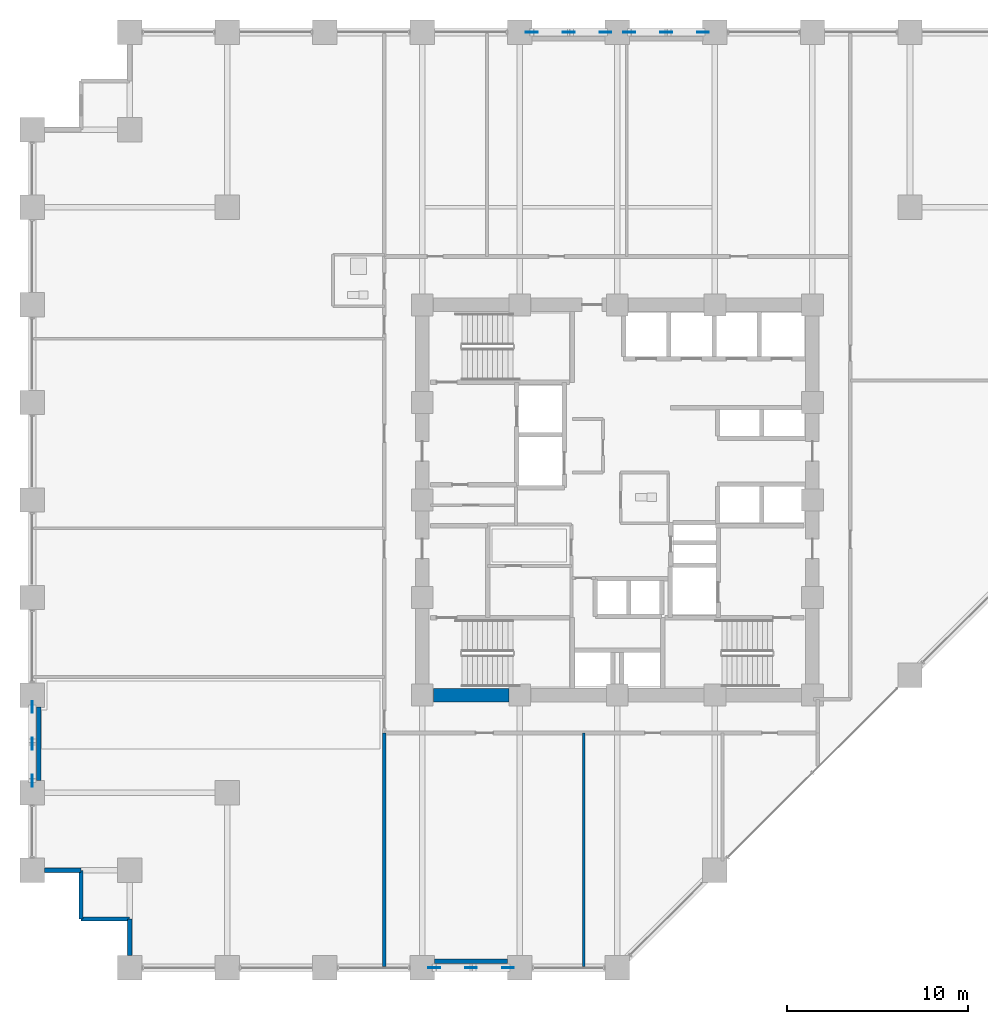
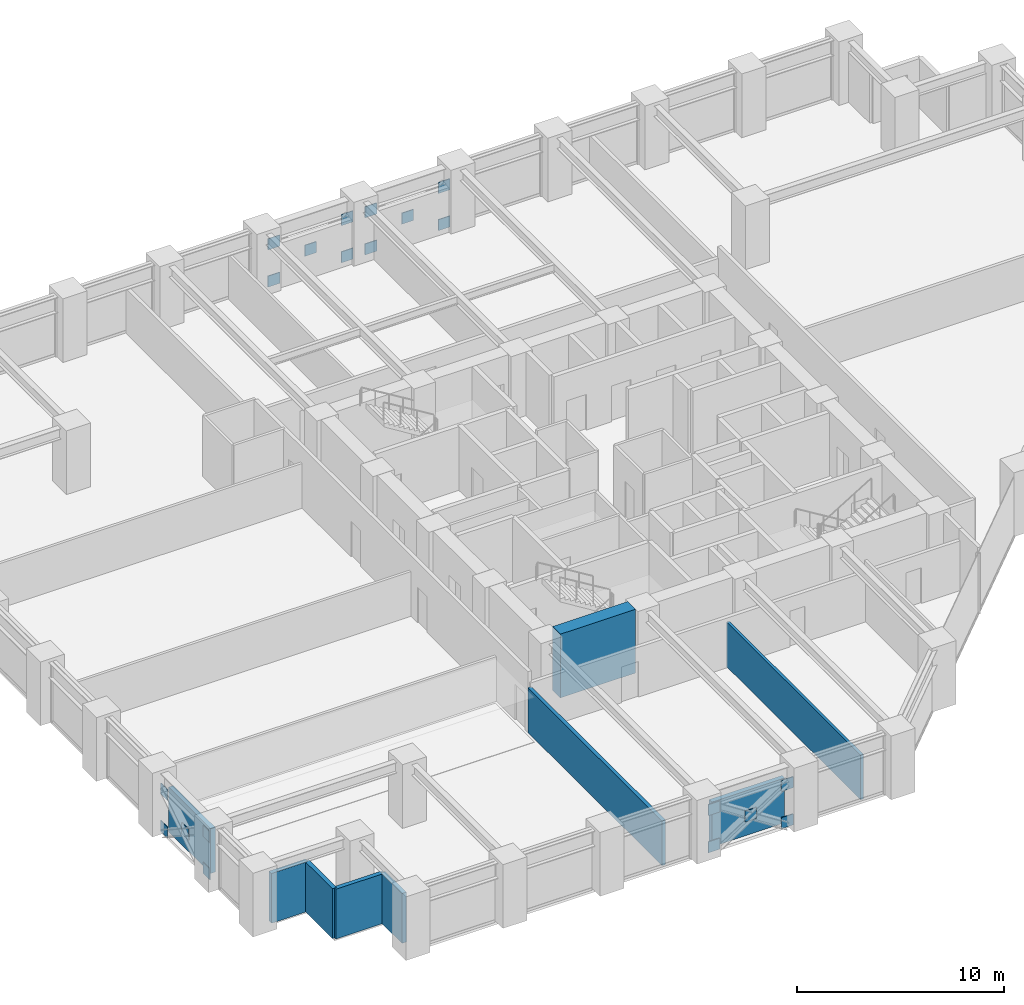
# One storey, part 19 of 25: 20 plates, 9 walls.
"""IFC4 building model written with IfcOpenShell, lengths in metres."""

from ifc_helpers import new_model, si_unit, direction, frame, frame_2d, origin, origin_2d, place, context, subcontext, project, spatial, rectangle, extrude, material, layer, layer_set, type_object, element, save


model = new_model("IFC4")

# Units and contexts
model_context = context("Model", 3, precision=1e-05, world=origin(), true_north=direction((0.0, 1.0)))
body_context = subcontext(model_context, "Body", "Model", "MODEL_VIEW")
ifc_project = project(units=[si_unit("LENGTHUNIT", "METRE"), si_unit("AREAUNIT", "SQUARE_METRE"), si_unit("VOLUMEUNIT", "CUBIC_METRE"), si_unit("PLANEANGLEUNIT", "RADIAN"), si_unit("MASSUNIT", "GRAM", prefix="KILO")], contexts=[model_context])

# Site, building, storey
site_placement = place(None, origin())
site = spatial("IfcSite", under=ifc_project, at=site_placement, CompositionType="ELEMENT")
building_placement = place(site_placement, origin())
building = spatial("IfcBuilding", under=site, at=building_placement, Name="Surkhivell Harbour Commons", CompositionType="ELEMENT")
storey_placement = place(building_placement, frame((0.0, 0.0, 48.75)))
storey = spatial("IfcBuildingStorey", under=building, at=storey_placement, Name="L12", CompositionType="ELEMENT", Elevation=48.75)

# Plates
ifc_material_1 = material(Name="Steel S460", Category="steel")
ifc_layer_1 = layer(ifc_material_1, 0.044921875)
ifc_layer_set_1 = layer_set([ifc_layer_1], Name="Steel S460")
plate_type = type_object("IfcPlateType", Name="PLT-GUS-650", PredefinedType="USERDEFINED", material=ifc_layer_set_1)
for number, where, z_axis, x_axis, name in (
    (1, (-4.739990234375, 25.89990234375, -0.08935546875), (0.0, 0.0, 1.0), (1.0, 0.0, 0.0), "L12 Perimeter Mega-Brace MB- Corner Gusset N-1"),
    (2, (-0.659912109375, 25.89990234375, -0.08935546875), (0.0, 0.0, 1.0), (1.0, 0.0, 0.0), "L12 Perimeter Mega-Brace MB- Corner Gusset N-2"),
    (3, (-4.739990234375, 25.89990234375, 2.1005859375), (0.0, 0.0, 1.0), (1.0, 0.0, 0.0), "L12 Perimeter Mega-Brace MB- Corner Gusset N-3"),
    (4, (-0.659912109375, 25.89990234375, 2.1005859375), (0.0, 0.0, 1.0), (1.0, 0.0, 0.0), "L12 Perimeter Mega-Brace MB- Corner Gusset N-4"),
    (5, (-2.699951171875, 25.89990234375, 1.005615234375), (0.0, 0.0, 1.0), (1.0, 0.0, 0.0), "L12 Perimeter Mega-Brace MB- Central Crossing Gusset N"),
    (6, (0.659912109375, 25.89990234375, -0.08935546875), (0.0, 0.0, 1.0), (1.0, 0.0, 0.0), "L12 Perimeter Mega-Brace MB- Corner Gusset N2-1"),
    (7, (4.739990234375, 25.89990234375, -0.08935546875), (0.0, 0.0, 1.0), (1.0, 0.0, 0.0), "L12 Perimeter Mega-Brace MB- Corner Gusset N2-2"),
    (8, (0.659912109375, 25.89990234375, 2.1005859375), (0.0, 0.0, 1.0), (1.0, 0.0, 0.0), "L12 Perimeter Mega-Brace MB- Corner Gusset N2-3"),
    (9, (4.739990234375, 25.89990234375, 2.1005859375), (0.0, 0.0, 1.0), (1.0, 0.0, 0.0), "L12 Perimeter Mega-Brace MB- Corner Gusset N2-4"),
    (10, (2.699951171875, 25.89990234375, 1.005615234375), (0.0, 0.0, 1.0), (1.0, 0.0, 0.0), "L12 Perimeter Mega-Brace MB- Central Crossing Gusset N2"),
    (11, (-10.139892578125, -25.89990234375, -0.08935546875), (0.0, 0.0, 1.0), (1.0, 0.0, 0.0), "L12 Perimeter Mega-Brace MB- Corner Gusset S-1"),
    (12, (-6.06005859375, -25.89990234375, -0.08935546875), (0.0, 0.0, 1.0), (1.0, 0.0, 0.0), "L12 Perimeter Mega-Brace MB- Corner Gusset S-2"),
    (13, (-10.139892578125, -25.89990234375, 2.1005859375), (0.0, 0.0, 1.0), (1.0, 0.0, 0.0), "L12 Perimeter Mega-Brace MB- Corner Gusset S-3"),
    (14, (-6.06005859375, -25.89990234375, 2.1005859375), (0.0, 0.0, 1.0), (1.0, 0.0, 0.0), "L12 Perimeter Mega-Brace MB- Corner Gusset S-4"),
    (15, (-8.10009765625, -25.89990234375, 1.005615234375), (0.0, 0.0, 1.0), (1.0, 0.0, 0.0), "L12 Perimeter Mega-Brace MB- Central Crossing Gusset S"),
    (16, (-32.39990234375, -15.5400390625, -0.08935546875), (0.0, 0.0, 1.0), (0.0, 1.0, 0.0), "L12 Perimeter Mega-Brace MB- Corner Gusset W-1"),
    (17, (-32.39990234375, -11.4599609375, -0.08935546875), (0.0, 0.0, 1.0), (0.0, 1.0, 0.0), "L12 Perimeter Mega-Brace MB- Corner Gusset W-2"),
    (18, (-32.39990234375, -15.5400390625, 2.1005859375), (0.0, 0.0, 1.0), (0.0, 1.0, 0.0), "L12 Perimeter Mega-Brace MB- Corner Gusset W-3"),
    (19, (-32.39990234375, -11.4599609375, 2.1005859375), (0.0, 0.0, 1.0), (0.0, 1.0, 0.0), "L12 Perimeter Mega-Brace MB- Corner Gusset W-4"),
    (20, (-32.39990234375, -13.5, 1.005615234375), (0.0, 0.0, 1.0), (0.0, 1.0, 0.0), "L12 Perimeter Mega-Brace MB- Central Crossing Gusset W"),
):
    element("IfcPlate", number, at=place(storey_placement, frame(where, z_axis=z_axis, x_axis=x_axis)), inside=storey, type_object=plate_type, Name=name, ObjectType="GUSSET_PLATE", PredefinedType="USERDEFINED", context=body_context, shape_type="SweptSolid", body=[
        extrude(rectangle(XDim=0.64990234375, YDim=0.044921875, at=origin_2d()), origin(), (0.0, 0.0, 1.0), 0.64990234375),
    ])

# Walls
ifc_material_2 = material(Name="Concrete C60/75", Category="concrete")
ifc_layer_2 = layer(ifc_material_2, 0.75)
ifc_layer_set_2 = layer_set([ifc_layer_2], Name="Concrete C60/75")
wall_type_1 = type_object("IfcWallType", Name="WAL-CORE-750", PredefinedType="SHEAR", material=ifc_layer_set_2)
wall_1_placement = place(storey_placement, frame((-10.18994140625, -10.800048828125, 0.0), z_axis=(0.0, 0.0, 1.0), x_axis=(1.0, 0.0, 0.0)))
element("IfcWall", 21, at=wall_1_placement, inside=storey, type_object=wall_type_1, Name="L12 Core Shear Wall South 1", PredefinedType="SHEAR", context=body_context, shape_type="SweptSolid", body=[
    extrude(rectangle(XDim=4.179931640625, YDim=0.75, at=frame_2d((2.08984375, 0.0))), origin(), (0.0, 0.0, 1.0), 3.75),
])
ifc_material_3 = material(Name="Pale-metal insulated precast concrete C45/55", Category="concrete")
ifc_layer_3 = layer(ifc_material_3, 0.260009765625)
ifc_layer_set_3 = layer_set([ifc_layer_3], Name="Pale-metal insulated precast concrete C45/55")
wall_type_2 = type_object("IfcWallType", Name="WAL-EXT-MTL260", PredefinedType="STANDARD", material=ifc_layer_set_3)
wall_2_placement = place(storey_placement, frame((-10.126953125, -25.5400390625, 0.0), z_axis=(0.0, 0.0, 1.0), x_axis=(1.0, 0.0, 0.0)))
element("IfcWall", 22, at=wall_2_placement, inside=storey, type_object=wall_type_2, Name="L12 Braced-Bay Insulated Spandrel Backing S", PredefinedType="STANDARD", context=body_context, shape_type="SweptSolid", body=[
    extrude(rectangle(XDim=4.053955078125, YDim=0.260009765625, at=frame_2d((2.02685546875, 0.0))), origin(), (0.0, 0.0, 1.0), 2.62890625),
])
wall_3_placement = place(storey_placement, frame((-32.0400390625, -11.472900390625, 0.0), z_axis=(0.0, 0.0, 1.0), x_axis=(0.0, -1.0, 0.0)))
element("IfcWall", 23, at=wall_3_placement, inside=storey, type_object=wall_type_2, Name="L12 Braced-Bay Insulated Spandrel Backing W", PredefinedType="STANDARD", context=body_context, shape_type="SweptSolid", body=[
    extrude(rectangle(XDim=4.05419921875, YDim=0.260009765625, at=frame_2d((2.027099609375, 0.0))), origin(), (0.0, 0.0, 1.0), 2.62890625),
])
ifc_material_4 = material(Name="Bronze-ochre cassette precast concrete C45/55", Category="concrete")
ifc_layer_4 = layer(ifc_material_4, 0.239990234375)
ifc_layer_set_4 = layer_set([ifc_layer_4], Name="Bronze-ochre cassette precast concrete C45/55")
wall_type_3 = type_object("IfcWallType", Name="WAL-EXT-OCH240", PredefinedType="STANDARD", material=ifc_layer_set_4)
wall_4_placement = place(storey_placement, frame((-31.72705078125, -20.5, 0.0), z_axis=(0.0, 0.0, 1.0), x_axis=(1.0, 0.0, 0.0)))
element("IfcWall", 24, at=wall_4_placement, inside=storey, type_object=wall_type_3, Name="L12 Serrated Corner Facade Wall 13", PredefinedType="STANDARD", context=body_context, shape_type="SweptSolid", body=[
    extrude(rectangle(XDim=2.027099609375, YDim=0.239990234375, at=frame_2d((1.013671875, 0.0))), origin(), (0.0, 0.0, 1.0), 2.929931640625),
])
for number, where, z_axis, x_axis, name in (
    (25, (-29.699951171875, -20.5, 0.0), (0.0, 0.0, 1.0), (0.0, -1.0, 0.0), "L12 Serrated Corner Facade Wall 14"),
    (26, (-29.699951171875, -23.199951171875, 0.0), (0.0, 0.0, 1.0), (1.0, 0.0, 0.0), "L12 Serrated Corner Facade Wall 15"),
):
    element("IfcWall", number, at=place(storey_placement, frame(where, z_axis=z_axis, x_axis=x_axis)), inside=storey, type_object=wall_type_3, Name=name, PredefinedType="STANDARD", context=body_context, shape_type="SweptSolid", body=[
        extrude(rectangle(XDim=2.699951171875, YDim=0.239990234375, at=frame_2d((1.35009765625, 0.0))), origin(), (0.0, 0.0, 1.0), 2.929931640625),
    ])
wall_5_placement = place(storey_placement, frame((-27.0, -23.199951171875, 0.0), z_axis=(0.0, 0.0, 1.0), x_axis=(0.0, -1.0, 0.0)))
element("IfcWall", 27, at=wall_5_placement, inside=storey, type_object=wall_type_3, Name="L12 Serrated Corner Facade Wall 16", PredefinedType="STANDARD", context=body_context, shape_type="SweptSolid", body=[
    extrude(rectangle(XDim=2.027099609375, YDim=0.239990234375, at=frame_2d((1.013671875, 0.0))), origin(), (0.0, 0.0, 1.0), 2.929931640625),
])
ifc_material_5 = material(Name="Twin-stud acoustic fireboard partition", Category="other")
ifc_layer_5 = layer(ifc_material_5, 0.14990234375)
ifc_layer_set_5 = layer_set([ifc_layer_5], Name="Twin-stud acoustic fireboard partition")
wall_type_4 = type_object("IfcWallType", Name="WAL-INT-150", PredefinedType="PARTITIONING", material=ifc_layer_set_5)
wall_6_placement = place(storey_placement, frame((-1.860107421875, -25.840087890625, 0.0), z_axis=(0.0, 0.0, 1.0), x_axis=(0.0, 1.0, 0.0)))
element("IfcWall", 28, at=wall_6_placement, inside=storey, type_object=wall_type_4, Name="L12 South Partition P1", PredefinedType="PARTITIONING", context=body_context, shape_type="SweptSolid", body=[
    extrude(rectangle(XDim=12.940185546875, YDim=0.14990234375, at=frame_2d((6.47021484375, 0.0))), origin(), (0.0, 0.0, 1.0), 2.62890625),
])
ifc_material_6 = material(Name="Autoclaved aerated concrete blockwork and fire plaster", Category="masonry")
ifc_layer_6 = layer(ifc_material_6, 0.199951171875)
ifc_layer_set_6 = layer_set([ifc_layer_6], Name="Autoclaved aerated concrete blockwork and fire plaster")
wall_type_5 = type_object("IfcWallType", Name="WAL-INT-200", PredefinedType="PARTITIONING", material=ifc_layer_set_6)
wall_7_placement = place(storey_placement, frame((-12.89990234375, -25.840087890625, 0.0), z_axis=(0.0, 0.0, 1.0), x_axis=(0.0, 1.0, 0.0)))
element("IfcWall", 29, at=wall_7_placement, inside=storey, type_object=wall_type_5, Name="L12 South-West Wing Corner Divider", PredefinedType="PARTITIONING", context=body_context, shape_type="SweptSolid", body=[
    extrude(rectangle(XDim=12.940185546875, YDim=0.199951171875, at=frame_2d((6.47021484375, 0.0))), origin(), (0.0, 0.0, 1.0), 2.62890625),
])

save(model, "model.ifc")
